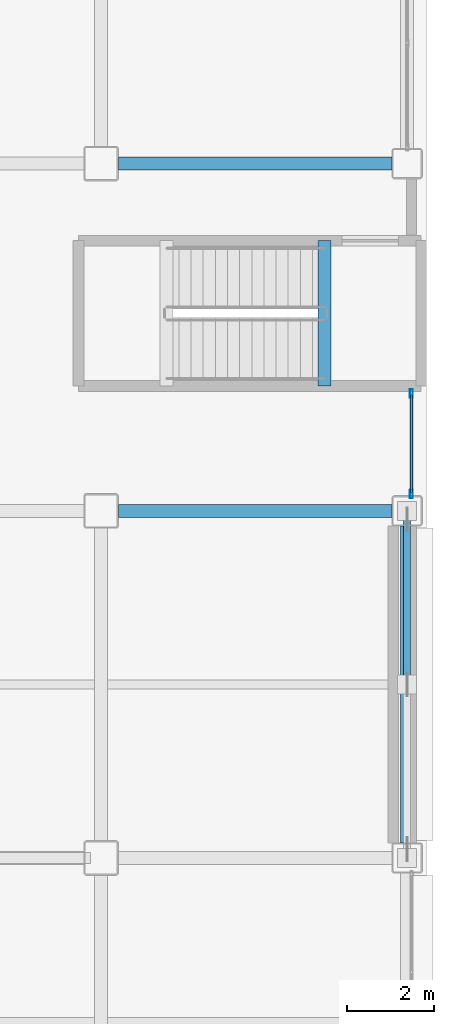
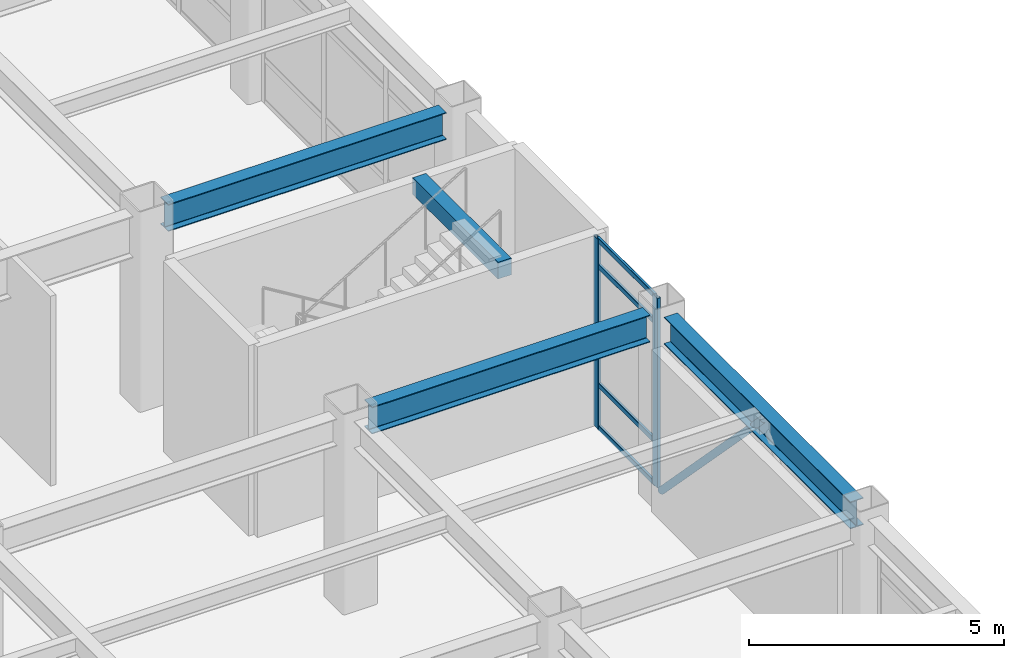
# One storey, part 88 of 154: 7 members, 4 beams, 1 element without a shape of its own.
"""IFC4 building model written with IfcOpenShell, lengths in metres."""

import ifcopenshell
import ifcopenshell.guid

model = None  # the IFC model being written
_history = None  # IfcOwnerHistory: only IFC2X3 demands one
_inside = {}  # id of a spatial element -> (the spatial element, [elements in it])
_under = {}  # id of a project, library or spatial element -> (it, [spatial elements below it])
_declared = {}  # id of a project -> (the project, [libraries it declares])
_typed = {}  # id of a type object -> (the type object, [elements of that type])
_made_of = {}  # id of a material, layer set ... -> (it, [elements and type objects made of it])


def new_model(schema):
    """Start an empty IFC model of exactly this schema.

    Asked for "IFC4X3", IfcOpenShell would pick the latest addendum, in which some entities
    have other attributes; the version numbers below select the first issue.
    IFC2X3 requires an IfcOwnerHistory on every rooted entity: one is made here for all.
    """
    global model, _history
    if schema == "IFC4X3":
        model = ifcopenshell.file(schema_version=(4, 3, 0, 0))
    else:
        model = ifcopenshell.file(schema=schema)
    _inside.clear()
    _under.clear()
    _declared.clear()
    _typed.clear()
    _made_of.clear()
    _history = None
    if model.schema == "IFC2X3":
        org = make("IfcOrganization", Name="unknown")
        user = make(
            "IfcPersonAndOrganization",
            ThePerson=make("IfcPerson", FamilyName="unknown"),
            TheOrganization=org,
        )
        app = make(
            "IfcApplication",
            ApplicationDeveloper=org,
            Version="unknown",
            ApplicationFullName="unknown",
            ApplicationIdentifier="unknown",
        )
        _history = make(
            "IfcOwnerHistory",
            OwningUser=user,
            OwningApplication=app,
            ChangeAction="ADDED",
            CreationDate=0,
        )
    return model


def make(cls, **values):
    """One entity of the class cls with the attributes given. An attribute that is None is left unset."""
    return model.create_entity(
        cls, **{name: value for name, value in values.items() if value is not None}
    )


def rooted(cls, **values):
    """An entity with a GlobalId (a new one), such as an element, a storey or a relation."""
    return make(cls, GlobalId=ifcopenshell.guid.new(), OwnerHistory=_history, **values)


def si_unit(unit_type, name, prefix=None):
    """IfcSIUnit, for example si_unit("LENGTHUNIT", "METRE", prefix="MILLI")."""
    return make("IfcSIUnit", UnitType=unit_type, Prefix=prefix, Name=name)


def assignment(units):
    """IfcUnitAssignment: the units of a project."""
    return None if units is None else make("IfcUnitAssignment", Units=units)


def point(xyz):
    """IfcCartesianPoint."""
    return None if xyz is None else make("IfcCartesianPoint", Coordinates=xyz)


def direction(xyz):
    """IfcDirection."""
    return None if xyz is None else make("IfcDirection", DirectionRatios=xyz)


def frame(location, z_axis=None, x_axis=None):
    """IfcAxis2Placement3D, a coordinate frame: its origin and axes. An axis left out is left unset."""
    return make(
        "IfcAxis2Placement3D",
        Location=point(location),
        Axis=direction(z_axis),
        RefDirection=direction(x_axis),
    )


def frame_2d(location, x_axis=None):
    """IfcAxis2Placement2D, a coordinate frame in the plane: its origin and x axis."""
    return make(
        "IfcAxis2Placement2D", Location=point(location), RefDirection=direction(x_axis)
    )


def origin():
    """The frame at (0, 0, 0) with its axes left unset."""
    return frame((0.0, 0.0, 0.0))


def origin_2d():
    """The frame at (0, 0) in the plane with its x axis left unset."""
    return frame_2d((0.0, 0.0))


def place(relative_to, where):
    """IfcLocalPlacement: puts the frame where relative to a parent placement (None: the world)."""
    return make(
        "IfcLocalPlacement", PlacementRelTo=relative_to, RelativePlacement=where
    )


def context(
    kind, dimensions, precision=None, world=None, true_north=None, identifier=None
):
    """IfcGeometricRepresentationContext, for example the 3D "Model" context."""
    return make(
        "IfcGeometricRepresentationContext",
        ContextIdentifier=identifier,
        ContextType=kind,
        CoordinateSpaceDimension=dimensions,
        Precision=precision,
        WorldCoordinateSystem=world,
        TrueNorth=true_north,
    )


def subcontext(parent, identifier, kind, view, scale=None):
    """IfcGeometricRepresentationSubContext, for example "Body" below "Model"."""
    return make(
        "IfcGeometricRepresentationSubContext",
        ContextIdentifier=identifier,
        ContextType=kind,
        ParentContext=parent,
        TargetScale=scale,
        TargetView=view,
    )


def project(units=None, contexts=None):
    """IfcProject with its units and contexts."""
    return rooted(
        "IfcProject",
        Name="project",
        RepresentationContexts=contexts,
        UnitsInContext=assignment(units),
    )


def spatial(cls, under=None, at=None, **own):
    """A site, building, storey or space (cls), placed at a placement, below another one or the project."""
    s = rooted(cls, ObjectPlacement=at, **own)
    if under is not None:
        _under.setdefault(under.id(), (under, []))[1].append(s)
    return s


def profile(cls, at=None, kind="AREA", **sizes):
    """A parametric profile (cls). Its sizes go by their IFC names, for example OverallWidth=200.0."""
    return make(cls, ProfileType=kind, Position=at, **sizes)


def rectangle(**sizes):
    """IfcRectangleProfileDef."""
    return profile("IfcRectangleProfileDef", **sizes)


def hollow_rectangle(**sizes):
    """IfcRectangleHollowProfileDef."""
    return profile("IfcRectangleHollowProfileDef", **sizes)


def hollow_circle(**sizes):
    """IfcCircleHollowProfileDef."""
    return profile("IfcCircleHollowProfileDef", **sizes)


def i_section(**sizes):
    """IfcIShapeProfileDef."""
    return profile("IfcIShapeProfileDef", **sizes)


def extrude(swept, where, along, depth):
    """IfcExtrudedAreaSolid: the profile swept, set in the frame where, extruded along a direction by depth."""
    return make(
        "IfcExtrudedAreaSolid",
        SweptArea=swept,
        Position=where,
        ExtrudedDirection=direction(along),
        Depth=depth,
    )


def shape(context_of_items, identifier, shape_type, items):
    """IfcShapeRepresentation: the items that make up one representation, for example the "Body"."""
    return make(
        "IfcShapeRepresentation",
        ContextOfItems=context_of_items,
        RepresentationIdentifier=identifier,
        RepresentationType=shape_type,
        Items=items,
    )


def material(Name=None, Category=None):
    """IfcMaterial."""
    return make("IfcMaterial", Name=Name, Category=Category)


def layer(
    of_material, thickness, ventilated=None, Name=None, Category=None, Priority=None
):
    """IfcMaterialLayer: one layer of a wall or slab, of a material (None: an air gap)."""
    return make(
        "IfcMaterialLayer",
        Material=of_material,
        LayerThickness=thickness,
        IsVentilated=ventilated,
        Name=Name,
        Category=Category,
        Priority=Priority,
    )


def layer_set(layers, Name=None):
    """IfcMaterialLayerSet."""
    return make("IfcMaterialLayerSet", MaterialLayers=layers, LayerSetName=Name)


def material_profile(
    of_material, cross_section, Name=None, Category=None, Priority=None
):
    """IfcMaterialProfile: a cross section and its material."""
    return make(
        "IfcMaterialProfile",
        Name=Name,
        Material=of_material,
        Profile=cross_section,
        Priority=Priority,
        Category=Category,
    )


def profile_set(profiles, Name=None, composite=None):
    """IfcMaterialProfileSet."""
    return make(
        "IfcMaterialProfileSet",
        Name=Name,
        MaterialProfiles=profiles,
        CompositeProfile=composite,
    )


def made_of(thing, what):
    """Note that an element or type object is made of a material, layer set ...; save() writes the relation."""
    if what is not None:
        _made_of.setdefault(what.id(), (what, []))[1].append(thing)
    return thing


def type_object(cls, material=None, **own):
    """A type object (cls), such as IfcWallType, which elements share."""
    return made_of(rooted(cls, **own), material)


def element(
    cls,
    number,
    at=None,
    inside=None,
    cuts=None,
    type_object=None,
    material=None,
    context=None,
    identifier="Body",
    shape_type=None,
    held_by="IfcProductDefinitionShape",
    body=None,
    shapes=None,
    **own,
):
    """One element of the class cls, such as IfcWall. Its Tag is "e" and its number.

    at: its placement. inside: the storey or other place that contains it. cuts: it is an
    opening in that element (IfcRelVoidsElement). A single representation is given by context,
    identifier, shape_type and body (its items); several are given by shapes. held_by: the class
    of the entity that holds the representations. save() writes the other relations.
    """
    e = rooted(cls, Tag="e%d" % number, ObjectPlacement=at, **own)
    if body is not None:
        shapes = [shape(context, identifier, shape_type, body)]
    if shapes is not None:
        e.Representation = make(held_by, Representations=shapes)
    if inside is not None:
        _inside.setdefault(inside.id(), (inside, []))[1].append(e)
    if cuts is not None:
        rooted(
            "IfcRelVoidsElement", RelatingBuildingElement=cuts, RelatedOpeningElement=e
        )
    if type_object is not None:
        _typed.setdefault(type_object.id(), (type_object, []))[1].append(e)
    return made_of(e, material)


def aggregate(whole, parts):
    """IfcRelAggregates: a whole, such as a stair, and the parts it consists of."""
    return rooted("IfcRelAggregates", RelatingObject=whole, RelatedObjects=parts)


def save(model, path):
    """Write the relations noted so far, then the file.

    IfcRelAggregates (storeys below a building ...), IfcRelContainedInSpatialStructure (elements
    in a storey), IfcRelDefinesByType, IfcRelAssociatesMaterial and IfcRelDeclares: one each for
    every whole, place, type object, material and project.
    """
    for whole, parts in _under.values():
        aggregate(whole, parts)
    for where, things in _inside.values():
        rooted(
            "IfcRelContainedInSpatialStructure",
            RelatedElements=things,
            RelatingStructure=where,
        )
    for kind, things in _typed.values():
        rooted("IfcRelDefinesByType", RelatedObjects=things, RelatingType=kind)
    for what, things in _made_of.values():
        rooted("IfcRelAssociatesMaterial", RelatedObjects=things, RelatingMaterial=what)
    for by, libraries in _declared.values():
        rooted("IfcRelDeclares", RelatingContext=by, RelatedDefinitions=libraries)
    model.write(path)


model = new_model("IFC4")

# Units and contexts
model_context = context("Model", 3, precision=1e-05, world=origin(), true_north=direction((0.0, 1.0)))
body_context = subcontext(model_context, "Body", "Model", "MODEL_VIEW")
ifc_project = project(units=[si_unit("LENGTHUNIT", "METRE"), si_unit("AREAUNIT", "SQUARE_METRE"), si_unit("VOLUMEUNIT", "CUBIC_METRE"), si_unit("PLANEANGLEUNIT", "RADIAN"), si_unit("MASSUNIT", "GRAM", prefix="KILO")], contexts=[model_context])

# Site, building, storey
site_placement = place(None, origin())
site = spatial("IfcSite", under=ifc_project, at=site_placement, CompositionType="ELEMENT")
building_placement = place(site_placement, origin())
building = spatial("IfcBuilding", under=site, at=building_placement, Name="Kazehara Bluff Congress Hotel", CompositionType="ELEMENT")
storey_placement = place(building_placement, frame((0.0, 0.0, 10.199951171875)))
storey = spatial("IfcBuildingStorey", under=building, at=storey_placement, Name="L02", CompositionType="ELEMENT", Elevation=10.199951171875)

# Member
ifc_material_1 = material(Name="Steel STK490", Category="steel")
ifc_material_profile_1 = material_profile(ifc_material_1, hollow_circle(Radius=0.08251953125, WallThickness=0.007080078125, at=origin_2d()))
ifc_profile_set_1 = profile_set([ifc_material_profile_1], Name="Steel STK490")
member_type_1 = type_object("IfcMemberType", Name="TP-BR-02", PredefinedType="BRACE", material=ifc_profile_set_1)
member_1_placement = place(storey_placement, frame((167.550048828125, 16.0, 0.150146484375), z_axis=(0.0, -0.695275793679, 0.718743049166), x_axis=(1.0, 0.0, 0.0)))
element("IfcMember", 1, at=member_1_placement, inside=storey, type_object=member_type_1, Name="L02 chevron brace BR-02 4", PredefinedType="BRACE", context=body_context, shape_type="SweptSolid", body=[
    extrude(hollow_circle(Radius=0.08251953125, WallThickness=0.007080078125, at=origin_2d()), origin(), (0.0, 0.0, 1.0), 5.753173828125),
])

# Curtain wall, members
ifc_material_2 = material(Name="Anodised aluminium", Category="aluminium")
ifc_layer = layer(ifc_material_2, 0.159912109375)
ifc_layer_set = layer_set([ifc_layer], Name="Anodised aluminium")
curtain_wall_type = type_object("IfcCurtainWallType", Name="TP-CW-113", PredefinedType="NOTDEFINED", material=ifc_layer_set)
curtain_wall_placement = place(storey_placement, origin())
curtain_wall = element("IfcCurtainWall", 2, at=curtain_wall_placement, inside=storey, type_object=curtain_wall_type, Name="L02 curtain wall CW-113 CW-ENC-V5-L02-16765-1755", PredefinedType="NOTDEFINED")
ifc_material_3 = material(Name="Anodised aluminium", Category="aluminium")
ifc_material_profile_2 = material_profile(ifc_material_3, hollow_rectangle(XDim=0.070068359375, YDim=0.199951171875, WallThickness=0.0048828125, InnerFilletRadius=0.0048828125, OuterFilletRadius=0.010009765625, at=origin_2d()))
ifc_profile_set_2 = profile_set([ifc_material_profile_2], Name="Anodised aluminium")
member_type_2 = type_object("IfcMemberType", Name="TP-CWM-03", PredefinedType="MULLION", material=ifc_profile_set_2)
member_2_placement = place(storey_placement, frame((167.64990234375, 18.705078125, 0.0), z_axis=(0.0, 0.0, 1.0), x_axis=(1.0, 0.0, 0.0)))
member_2 = element("IfcMember", 3, at=member_2_placement, type_object=member_type_2, Name="CW-113 mullion 1", PredefinedType="MULLION", context=body_context, shape_type="SweptSolid", body=[
    extrude(hollow_rectangle(XDim=0.070068359375, YDim=0.199951171875, WallThickness=0.0048828125, InnerFilletRadius=0.0048828125, OuterFilletRadius=0.010009765625, at=origin_2d()), origin(), (0.0, 0.0, 1.0), 4.545166015625),
])
member_3_placement = place(storey_placement, frame((167.64990234375, 16.385009765625, 0.0), z_axis=(0.0, 0.0, 1.0), x_axis=(1.0, 0.0, 0.0)))
member_3 = element("IfcMember", 4, at=member_3_placement, type_object=member_type_2, Name="CW-113 mullion 2", PredefinedType="MULLION", context=body_context, shape_type="SweptSolid", body=[
    extrude(hollow_rectangle(XDim=0.070068359375, YDim=0.199951171875, WallThickness=0.0048828125, InnerFilletRadius=0.0048828125, OuterFilletRadius=0.010009765625, at=origin_2d()), origin(), (0.0, 0.0, 1.0), 4.545166015625),
])
ifc_material_4 = material(Name="Anodised aluminium", Category="aluminium")
ifc_material_profile_3 = material_profile(ifc_material_4, hollow_rectangle(XDim=0.06005859375, YDim=0.1201171875, WallThickness=0.00390625, InnerFilletRadius=0.00390625, OuterFilletRadius=0.008056640625, at=origin_2d()))
ifc_profile_set_3 = profile_set([ifc_material_profile_3], Name="Anodised aluminium")
member_type_3 = type_object("IfcMemberType", Name="TP-CWT-01", PredefinedType="USERDEFINED", material=ifc_profile_set_3)
member_4_placement = place(storey_placement, frame((167.64990234375, 18.669921875, 0.030029296875), z_axis=(0.0, -1.0, 0.0), x_axis=(1.0, 0.0, 0.0)))
member_4 = element("IfcMember", 5, at=member_4_placement, type_object=member_type_3, Name="CW-113 transom 1.1", ObjectType="TRANSOM", PredefinedType="USERDEFINED", context=body_context, shape_type="SweptSolid", body=[
    extrude(hollow_rectangle(XDim=0.06005859375, YDim=0.1201171875, WallThickness=0.00390625, InnerFilletRadius=0.00390625, OuterFilletRadius=0.008056640625, at=origin_2d()), origin(), (0.0, 0.0, 1.0), 2.25),
])
member_5_placement = place(storey_placement, frame((167.64990234375, 18.669921875, 1.050048828125), z_axis=(0.0, -1.0, 0.0), x_axis=(1.0, 0.0, 0.0)))
member_5 = element("IfcMember", 6, at=member_5_placement, type_object=member_type_3, Name="CW-113 transom 1.2", ObjectType="TRANSOM", PredefinedType="USERDEFINED", context=body_context, shape_type="SweptSolid", body=[
    extrude(hollow_rectangle(XDim=0.06005859375, YDim=0.1201171875, WallThickness=0.00390625, InnerFilletRadius=0.00390625, OuterFilletRadius=0.008056640625, at=origin_2d()), origin(), (0.0, 0.0, 1.0), 2.25),
])
member_6_placement = place(storey_placement, frame((167.64990234375, 18.669921875, 3.89501953125), z_axis=(0.0, -1.0, 0.0), x_axis=(1.0, 0.0, 0.0)))
member_6 = element("IfcMember", 7, at=member_6_placement, type_object=member_type_3, Name="CW-113 transom 1.3", ObjectType="TRANSOM", PredefinedType="USERDEFINED", context=body_context, shape_type="SweptSolid", body=[
    extrude(hollow_rectangle(XDim=0.06005859375, YDim=0.1201171875, WallThickness=0.00390625, InnerFilletRadius=0.00390625, OuterFilletRadius=0.008056640625, at=origin_2d()), origin(), (0.0, 0.0, 1.0), 2.25),
])
member_7_placement = place(storey_placement, frame((167.64990234375, 18.669921875, 4.51513671875), z_axis=(0.0, -1.0, 0.0), x_axis=(1.0, 0.0, 0.0)))
member_7 = element("IfcMember", 8, at=member_7_placement, type_object=member_type_3, Name="CW-113 transom 1.4", ObjectType="TRANSOM", PredefinedType="USERDEFINED", context=body_context, shape_type="SweptSolid", body=[
    extrude(hollow_rectangle(XDim=0.06005859375, YDim=0.1201171875, WallThickness=0.00390625, InnerFilletRadius=0.00390625, OuterFilletRadius=0.008056640625, at=origin_2d()), origin(), (0.0, 0.0, 1.0), 2.25),
])
aggregate(curtain_wall, [member_2, member_3, member_4, member_5, member_6, member_7])

# Beams
ifc_material_5 = material(Name="Steel SN490B", Category="steel")
ifc_material_profile_4 = material_profile(ifc_material_5, i_section(OverallWidth=0.300048828125, OverallDepth=0.64990234375, WebThickness=0.011962890625, FlangeThickness=0.02001953125, FilletRadius=0.012939453125, at=origin_2d()))
ifc_profile_set_4 = profile_set([ifc_material_profile_4], Name="Steel SN490B")
beam_type_1 = type_object("IfcBeamType", Name="TP-G-03", PredefinedType="BEAM", material=ifc_profile_set_4)
beam_1_placement = place(storey_placement, frame((167.550048828125, 8.35009765625, 4.235107421875), z_axis=(0.0, 1.0, 0.0), x_axis=(-1.0, 0.0, 0.0)))
element("IfcBeam", 9, at=beam_1_placement, inside=storey, type_object=beam_type_1, Name="L02 girder G-03 170", PredefinedType="BEAM", context=body_context, shape_type="SweptSolid", body=[
    extrude(i_section(OverallWidth=0.300048828125, OverallDepth=0.64990234375, WebThickness=0.011962890625, FlangeThickness=0.02001953125, FilletRadius=0.012939453125, at=origin_2d()), origin(), (0.0, 0.0, 1.0), 7.2998046875),
])
for number, where, z_axis, x_axis, name in (
    (10, (160.89990234375, 16.0, 4.235107421875), (1.0, 0.0, 0.0), (0.0, 1.0, 0.0), "L02 girder G-03 192"),
    (11, (160.89990234375, 24.0, 4.235107421875), (1.0, 0.0, 0.0), (0.0, 1.0, 0.0), "L02 girder G-03 198"),
):
    element("IfcBeam", number, at=place(storey_placement, frame(where, z_axis=z_axis, x_axis=x_axis)), inside=storey, type_object=beam_type_1, Name=name, PredefinedType="BEAM", context=body_context, shape_type="SweptSolid", body=[
        extrude(i_section(OverallWidth=0.300048828125, OverallDepth=0.64990234375, WebThickness=0.011962890625, FlangeThickness=0.02001953125, FilletRadius=0.012939453125, at=origin_2d()), origin(), (0.0, 0.0, 1.0), 6.300048828125),
    ])
ifc_material_6 = material(Name="Concrete C40/50", Category="concrete")
ifc_material_profile_5 = material_profile(ifc_material_6, rectangle(XDim=0.300048828125, YDim=0.39990234375, at=origin_2d()))
ifc_profile_set_5 = profile_set([ifc_material_profile_5], Name="Concrete C40/50")
beam_type_2 = type_object("IfcBeamType", Name="TP-LN-02", PredefinedType="LINTEL", material=ifc_profile_set_5)
beam_2_placement = place(storey_placement, frame((165.64990234375, 22.22509765625, 4.380126953125), z_axis=(0.0, -1.0, 0.0), x_axis=(1.0, 0.0, 0.0)))
element("IfcBeam", 12, at=beam_2_placement, inside=storey, type_object=beam_type_2, Name="L03 ST-10 stairwell trimmer beam", PredefinedType="LINTEL", context=body_context, shape_type="SweptSolid", body=[
    extrude(rectangle(XDim=0.300048828125, YDim=0.39990234375, at=origin_2d()), origin(), (0.0, 0.0, 1.0), 3.35009765625),
])

save(model, "model.ifc")
